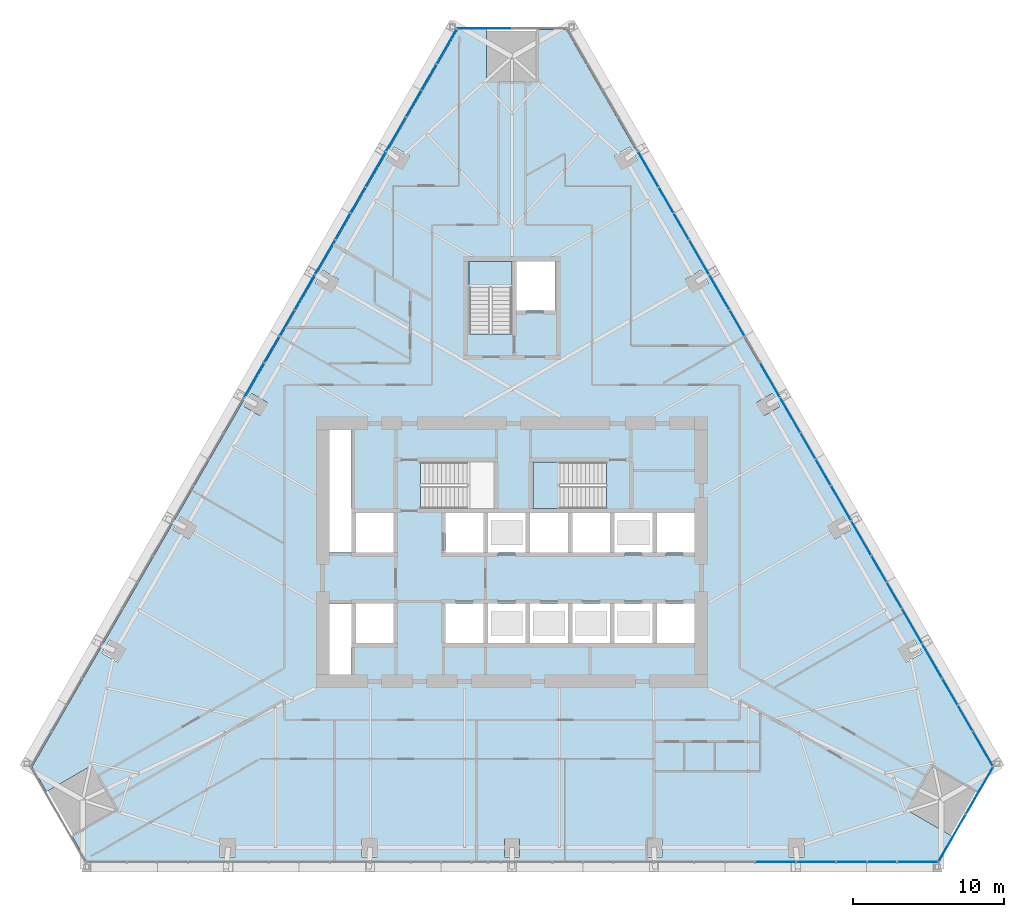
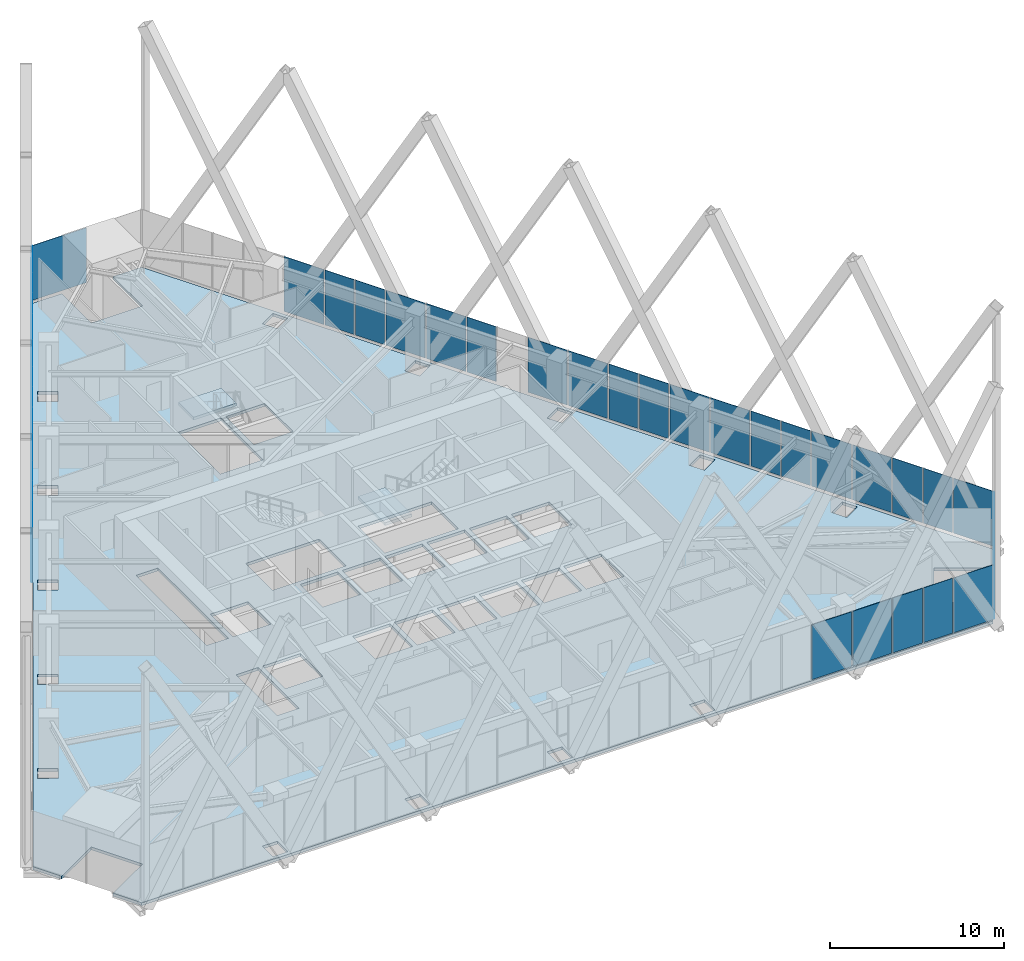
# One storey, part 14 of 21: 39 plates, 3 slabs, 7 elements without a shape of their own.
"""IFC4 building model written with IfcOpenShell, lengths in metres."""

from ifc_helpers import new_model, si_unit, direction, frame, origin, place, context, subcontext, project, spatial, polyline, outline, extrude, material, layer, layer_set, type_object, element, aggregate, save


model = new_model("IFC4")

# Units and contexts
model_context = context("Model", 3, precision=1e-05, world=origin(), true_north=direction((0.0, 1.0)))
body_context = subcontext(model_context, "Body", "Model", "MODEL_VIEW")
ifc_project = project(units=[si_unit("LENGTHUNIT", "METRE"), si_unit("AREAUNIT", "SQUARE_METRE"), si_unit("VOLUMEUNIT", "CUBIC_METRE"), si_unit("PLANEANGLEUNIT", "RADIAN"), si_unit("MASSUNIT", "GRAM", prefix="KILO")], contexts=[model_context])

# Site, building, storey
site_placement = place(None, origin())
site = spatial("IfcSite", under=ifc_project, at=site_placement, CompositionType="ELEMENT")
building_placement = place(site_placement, origin())
building = spatial("IfcBuilding", under=site, at=building_placement, Name="Firuza Gate Tower and Library", CompositionType="ELEMENT")
storey_placement = place(building_placement, frame((0.0, 0.0, 90.39990234375)))
storey = spatial("IfcBuildingStorey", under=building, at=storey_placement, Name="L20", CompositionType="ELEMENT", Elevation=90.39990234375)

# Slab
ifc_material_1 = material(Name="Concrete C40/50", Category="concrete")
ifc_layer_1 = layer(ifc_material_1, 0.199951171875)
ifc_layer_set_1 = layer_set([ifc_layer_1], Name="Composite floor slab 200 C40/50")
slab_type_1 = type_object("IfcSlabType", Name="Composite floor slab 200 C40/50", PredefinedType="FLOOR", material=ifc_layer_set_1)
slab_1_placement = place(storey_placement, frame((0.0, 0.0, -0.199951171875)))
element("IfcSlab", 1, at=slab_1_placement, inside=storey, type_object=slab_type_1, Name="Floor slab L20", PredefinedType="FLOOR", context=body_context, shape_type="SweptSolid", body=[
    extrude(outline(polyline([(103.210205078125, 54.555908203125), (104.16015625, 56.201416015625), (101.227294921875, 57.89453125), (102.92724609375, 60.839111328125), (105.860107421875, 59.14599609375), (106.81005859375, 60.791259765625), (78.60009765625, 109.652587890625), (76.699951171875, 109.652587890625), (76.699951171875, 106.26611328125), (73.300048828125, 106.26611328125), (73.300048828125, 109.652587890625), (71.39990234375, 109.652587890625), (43.18994140625, 60.791259765625), (44.139892578125, 59.14599609375), (47.07275390625, 60.839111328125), (48.772705078125, 57.89453125), (45.83984375, 56.201416015625), (46.789794921875, 54.555908203125), (103.210205078125, 54.555908203125)]), holes=[polyline([(55.627685546875, 54.79931640625), (55.627685546875, 55.999267578125), (56.627685546875, 55.999267578125), (56.627685546875, 54.79931640625), (55.627685546875, 54.79931640625)]), polyline([(65.06396484375, 54.79931640625), (65.06396484375, 55.999267578125), (66.06396484375, 55.999267578125), (66.06396484375, 54.79931640625), (65.06396484375, 54.79931640625)]), polyline([(48.3193359375, 69.189453125), (49.358642578125, 68.589599609375), (48.858642578125, 67.723388671875), (47.8193359375, 68.323486328125), (48.3193359375, 69.189453125)]), polyline([(64.35009765625, 66.89990234375), (62.89990234375, 66.89990234375), (62.89990234375, 71.60009765625), (64.35009765625, 71.60009765625), (64.35009765625, 66.89990234375)]), polyline([(75.89990234375, 69.0), (73.39990234375, 69.0), (73.39990234375, 71.60009765625), (75.89990234375, 71.60009765625), (75.89990234375, 69.0)]), polyline([(73.10009765625, 69.0), (70.60009765625, 69.0), (70.60009765625, 71.60009765625), (73.10009765625, 71.60009765625), (73.10009765625, 69.0)]), polyline([(64.64990234375, 69.0), (64.64990234375, 71.60009765625), (67.14990234375, 71.60009765625), (67.14990234375, 69.0), (64.64990234375, 69.0)]), polyline([(64.64990234375, 75.0), (64.64990234375, 77.60009765625), (67.14990234375, 77.60009765625), (67.14990234375, 75.0), (64.64990234375, 75.0)]), polyline([(75.89990234375, 75.0), (73.39990234375, 75.0), (73.39990234375, 77.60009765625), (75.89990234375, 77.60009765625), (75.89990234375, 75.0)]), polyline([(73.10009765625, 75.0), (70.60009765625, 75.0), (70.60009765625, 77.60009765625), (73.10009765625, 77.60009765625), (73.10009765625, 75.0)]), polyline([(53.03759765625, 77.361572265625), (54.07666015625, 76.761474609375), (53.57666015625, 75.8955078125), (52.53759765625, 76.495361328125), (53.03759765625, 77.361572265625)]), polyline([(62.89990234375, 75.0), (62.89990234375, 83.10009765625), (64.35009765625, 83.10009765625), (64.35009765625, 75.0), (62.89990234375, 75.0)]), polyline([(68.9404296875, 77.89990234375), (68.9404296875, 80.97998046875), (73.81005859375, 80.97998046875), (73.81005859375, 77.89990234375), (68.9404296875, 77.89990234375)]), polyline([(57.755615234375, 85.533447265625), (58.794921875, 84.933349609375), (58.294921875, 84.0673828125), (57.255615234375, 84.66748046875), (57.755615234375, 85.533447265625)]), polyline([(72.159912109375, 89.470458984375), (72.159912109375, 94.300048828125), (75.0, 94.300048828125), (75.0, 89.470458984375), (72.159912109375, 89.470458984375)]), polyline([(62.4736328125, 93.705322265625), (63.512939453125, 93.10546875), (63.012939453125, 92.2392578125), (61.9736328125, 92.83935546875), (62.4736328125, 93.705322265625)]), polyline([(68.23095703125, 101.27734375), (67.73095703125, 100.411376953125), (66.691650390625, 101.01123046875), (67.191650390625, 101.877197265625), (68.23095703125, 101.27734375)]), polyline([(93.372314453125, 54.79931640625), (93.372314453125, 55.999267578125), (94.372314453125, 55.999267578125), (94.372314453125, 54.79931640625), (93.372314453125, 54.79931640625)]), polyline([(74.5, 54.79931640625), (74.5, 55.999267578125), (75.5, 55.999267578125), (75.5, 54.79931640625), (74.5, 54.79931640625)]), polyline([(83.93603515625, 54.79931640625), (83.93603515625, 55.999267578125), (84.93603515625, 55.999267578125), (84.93603515625, 54.79931640625), (83.93603515625, 54.79931640625)]), polyline([(102.1806640625, 68.323486328125), (101.141357421875, 67.723388671875), (100.641357421875, 68.589599609375), (101.6806640625, 69.189453125), (102.1806640625, 68.323486328125)]), polyline([(78.699951171875, 69.0), (76.199951171875, 69.0), (76.199951171875, 71.60009765625), (78.699951171875, 71.60009765625), (78.699951171875, 69.0)]), polyline([(81.5, 69.0), (79.0, 69.0), (79.0, 71.60009765625), (81.5, 71.60009765625), (81.5, 69.0)]), polyline([(84.60009765625, 69.0), (84.60009765625, 71.60009765625), (87.10009765625, 71.60009765625), (87.10009765625, 69.0), (84.60009765625, 69.0)]), polyline([(81.800048828125, 69.0), (81.800048828125, 71.60009765625), (84.300048828125, 71.60009765625), (84.300048828125, 69.0), (81.800048828125, 69.0)]), polyline([(84.300048828125, 75.0), (81.800048828125, 75.0), (81.800048828125, 77.60009765625), (84.300048828125, 77.60009765625), (84.300048828125, 75.0)]), polyline([(87.10009765625, 75.0), (84.60009765625, 75.0), (84.60009765625, 77.60009765625), (87.10009765625, 77.60009765625), (87.10009765625, 75.0)]), polyline([(81.5, 75.0), (79.0, 75.0), (79.0, 77.60009765625), (81.5, 77.60009765625), (81.5, 75.0)]), polyline([(76.199951171875, 75.0), (76.199951171875, 77.60009765625), (78.699951171875, 77.60009765625), (78.699951171875, 75.0), (76.199951171875, 75.0)]), polyline([(96.42333984375, 75.8955078125), (95.92333984375, 76.761474609375), (96.96240234375, 77.361572265625), (97.46240234375, 76.495361328125), (96.42333984375, 75.8955078125)]), polyline([(81.259521484375, 77.89990234375), (76.389892578125, 77.89990234375), (76.389892578125, 80.97998046875), (81.259521484375, 80.97998046875), (81.259521484375, 77.89990234375)]), polyline([(92.744384765625, 84.66748046875), (91.705078125, 84.0673828125), (91.205078125, 84.933349609375), (92.244384765625, 85.533447265625), (92.744384765625, 84.66748046875)]), polyline([(77.89990234375, 91.050048828125), (75.300048828125, 91.050048828125), (75.300048828125, 94.300048828125), (77.89990234375, 94.300048828125), (77.89990234375, 91.050048828125)]), polyline([(86.987060546875, 92.2392578125), (86.487060546875, 93.10546875), (87.5263671875, 93.705322265625), (88.0263671875, 92.83935546875), (86.987060546875, 92.2392578125)]), polyline([(82.26904296875, 100.411376953125), (81.76904296875, 101.27734375), (82.808349609375, 101.877197265625), (83.308349609375, 101.01123046875), (82.26904296875, 100.411376953125)])]), origin(), (0.0, 0.0, 1.0), 0.199951171875),
])

# Curtain wall, plates
ifc_material_2 = material(Name="Aluminium 6063-T6", Category="aluminium")
ifc_layer_2 = layer(ifc_material_2, 0.14990234375)
ifc_layer_set_2 = layer_set([ifc_layer_2], Name="Corner curtain wall, chamfers")
curtain_wall_type_1 = type_object("IfcCurtainWallType", Name="Corner curtain wall, chamfers", PredefinedType="NOTDEFINED", material=ifc_layer_set_2)
placement_1 = place(storey_placement, origin())
curtain_wall_1 = element("IfcCurtainWall", 2, at=placement_1, inside=storey, type_object=curtain_wall_type_1, Name="CW4 L20 SE corner", PredefinedType="NOTDEFINED")
ifc_material_3 = material(Name="Fritted glass", Category="glass")
ifc_layer_3 = layer(ifc_material_3, 0.030029296875)
ifc_layer_set_3 = layer_set([ifc_layer_3], Name="Fritted glass unit, corners")
plate_type_1 = type_object("IfcPlateType", Name="Fritted glass unit, corners", PredefinedType="CURTAIN_PANEL", material=ifc_layer_set_3)
plate_1_placement = place(storey_placement, frame((103.286376953125, 54.508056640625, 0.150146484375), z_axis=(0.866016723041, -0.500015035186, 0.0), x_axis=(0.500015035186, 0.866016723041, 0.0)))
plate_1 = element("IfcPlate", 3, at=plate_1_placement, type_object=plate_type_1, Name="Glass unit", PredefinedType="CURTAIN_PANEL", context=body_context, shape_type="SweptSolid", body=[
    extrude(outline(polyline([(0.0, 0.0), (3.5633694106530625, 0.0), (3.5633694106530625, 3.849853515625), (0.0, 3.849853515625), (0.0, 0.0)])), origin(), (0.0, 0.0, -1.0), 0.030029296875),
])
plate_2_placement = place(storey_placement, frame((105.108154296875, 57.663330078125, 0.150146484375), z_axis=(0.866046390552, -0.49996364809, 0.0), x_axis=(0.49996364809, 0.866046390552, 0.0)))
plate_2 = element("IfcPlate", 4, at=plate_2_placement, type_object=plate_type_1, Name="Glass unit", PredefinedType="CURTAIN_PANEL", context=body_context, shape_type="SweptSolid", body=[
    extrude(outline(polyline([(0.0, 0.0), (3.563247342942594, 0.0), (3.563247342942594, 3.849853515625), (0.0, 3.849853515625), (0.0, 0.0)])), origin(), (0.0, 0.0, -1.0), 0.030029296875),
])
aggregate(curtain_wall_1, [plate_1, plate_2])

# Curtain wall, plate
curtain_wall_2 = element("IfcCurtainWall", 5, at=placement_1, inside=storey, type_object=curtain_wall_type_1, Name="CW4 L20 N corner", PredefinedType="NOTDEFINED")
plate_3_placement = place(storey_placement, frame((74.9599609375, 109.74267578125, 0.150146484375), z_axis=(0.0, 1.0, 0.0), x_axis=(-1.0, 0.0, 0.0)))
plate_3 = element("IfcPlate", 6, at=plate_3_placement, type_object=plate_type_1, Name="Glass unit", PredefinedType="CURTAIN_PANEL", context=body_context, shape_type="SweptSolid", body=[
    extrude(outline(polyline([(0.0, 0.0), (3.563232421875, 0.0), (3.563232421875, 3.849853515625), (0.0, 3.849853515625), (0.0, 0.0)])), origin(), (0.0, 0.0, -1.0), 0.030029296875),
])
aggregate(curtain_wall_2, [plate_3])

# Curtain wall, plates
ifc_material_4 = material(Name="Aluminium 6063-T6", Category="aluminium")
ifc_layer_4 = layer(ifc_material_4, 0.14990234375)
ifc_layer_set_4 = layer_set([ifc_layer_4], Name="Unitised curtain wall, offices")
curtain_wall_type_2 = type_object("IfcCurtainWallType", Name="Unitised curtain wall, offices", PredefinedType="NOTDEFINED", material=ifc_layer_set_4)
curtain_wall_3 = element("IfcCurtainWall", 7, at=placement_1, inside=storey, type_object=curtain_wall_type_2, Name="CW1 L20 S face", PredefinedType="NOTDEFINED")
ifc_material_5 = material(Name="Fritted glass", Category="glass")
ifc_layer_5 = layer(ifc_material_5, 0.030029296875)
ifc_layer_set_5 = layer_set([ifc_layer_5], Name="Fritted glass unit, offices")
plate_type_2 = type_object("IfcPlateType", Name="Fritted glass unit, offices", PredefinedType="CURTAIN_PANEL", material=ifc_layer_set_5)
plate_4_placement = place(storey_placement, frame((96.53173828125, 54.466064453125, 0.150146484375), z_axis=(0.0, -1.0, 0.0), x_axis=(1.0, 0.0, 0.0)))
plate_4 = element("IfcPlate", 8, at=plate_4_placement, type_object=plate_type_2, Name="Glass unit", PredefinedType="CURTAIN_PANEL", context=body_context, shape_type="SweptSolid", body=[
    extrude(outline(polyline([(0.0, 0.0), (1.97265625, 0.0), (1.97265625, 3.849853515625), (0.0, 3.849853515625), (0.0, 0.0)])), origin(), (0.0, 0.0, -1.0), 0.030029296875),
])
plate_5_placement = place(storey_placement, frame((98.58447265625, 54.466064453125, 0.150146484375), z_axis=(0.0, -1.0, 0.0), x_axis=(1.0, 0.0, 0.0)))
plate_5 = element("IfcPlate", 9, at=plate_5_placement, type_object=plate_type_2, Name="Glass unit", PredefinedType="CURTAIN_PANEL", context=body_context, shape_type="SweptSolid", body=[
    extrude(outline(polyline([(0.0, 0.0), (1.900634765625, 0.0), (1.900634765625, 3.849853515625), (0.0, 3.849853515625), (0.0, 0.0)])), origin(), (0.0, 0.0, -1.0), 0.030029296875),
])

curtain_wall_4 = element("IfcCurtainWall", 10, at=placement_1, inside=storey, type_object=curtain_wall_type_2, Name="CW1 L20 E face", PredefinedType="NOTDEFINED")
plate_6_placement = place(storey_placement, frame((105.525634765625, 63.1962890625, 0.150146484375), z_axis=(0.865997343122, 0.500048599344, 0.0), x_axis=(-0.500048599344, 0.865997343122, 0.0)))
plate_6 = element("IfcPlate", 11, at=plate_6_placement, type_object=plate_type_2, Name="Glass unit", PredefinedType="CURTAIN_PANEL", context=body_context, shape_type="SweptSolid", body=[
    extrude(outline(polyline([(0.0, 0.0), (1.9006941612728778, 0.0), (1.9006941612728778, 3.849853515625), (0.0, 3.849853515625), (0.0, 0.0)])), origin(), (0.0, 0.0, -1.0), 0.030029296875),
])
plate_7_placement = place(storey_placement, frame((104.53515625, 64.91162109375, 0.150146484375), z_axis=(0.866010388301, 0.500026006679, 0.0), x_axis=(-0.500026006679, 0.866010388301, 0.0)))
plate_7 = element("IfcPlate", 12, at=plate_7_placement, type_object=plate_type_2, Name="Glass unit", PredefinedType="CURTAIN_PANEL", context=body_context, shape_type="SweptSolid", body=[
    extrude(outline(polyline([(0.0, 0.0), (1.9725536508600703, 0.0), (1.9725536508600703, 3.849853515625), (0.0, 3.849853515625), (0.0, 0.0)])), origin(), (0.0, 0.0, -1.0), 0.030029296875),
])
plate_8_placement = place(storey_placement, frame((100.823974609375, 71.33984375, 0.150146484375), z_axis=(0.866022112445, 0.500005700723, 0.0), x_axis=(-0.500005700723, 0.866022112445, 0.0)))
plate_8 = element("IfcPlate", 13, at=plate_8_placement, type_object=plate_type_2, Name="Glass unit", PredefinedType="CURTAIN_PANEL", context=body_context, shape_type="SweptSolid", body=[
    extrude(outline(polyline([(0.0, 0.0), (1.915017228534579, 0.0), (1.915017228534579, 3.849853515625001), (0.0, 3.849853515625001), (0.0, 0.0)])), origin(), (0.0, 0.0, -1.0), 0.030029296875),
])
plate_9_placement = place(storey_placement, frame((99.826416015625, 73.067626953125, 0.150146484375), z_axis=(0.865986260037, 0.500067792832, 0.0), x_axis=(-0.500067792832, 0.865986260037, 0.0)))
plate_9 = element("IfcPlate", 14, at=plate_9_placement, type_object=plate_type_2, Name="Glass unit", PredefinedType="CURTAIN_PANEL", context=body_context, shape_type="SweptSolid", body=[
    extrude(outline(polyline([(0.0, 0.0), (1.9582305857576152, 0.0), (1.9582305857576152, 3.849853515625), (0.0, 3.849853515625), (0.0, 0.0)])), origin(), (0.0, 0.0, -1.0), 0.030029296875),
])
plate_10_placement = place(storey_placement, frame((96.1220703125, 79.4833984375, 0.150146484375), z_axis=(0.866046511925, 0.499963437846, 0.0), x_axis=(-0.499963437846, 0.866046511925, 0.0)))
plate_10 = element("IfcPlate", 15, at=plate_10_placement, type_object=plate_type_2, Name="Glass unit", PredefinedType="CURTAIN_PANEL", context=body_context, shape_type="SweptSolid", body=[
    extrude(outline(polyline([(0.0, 0.0), (1.9293403004255998, 0.0), (1.9293403004255998, 3.849853515625), (0.0, 3.849853515625), (0.0, 0.0)])), origin(), (0.0, 0.0, -1.0), 0.030029296875),
])
plate_11_placement = place(storey_placement, frame((95.117431640625, 81.2236328125, 0.150146484375), z_axis=(0.866047560712, 0.499961621113, 0.0), x_axis=(-0.499961621113, 0.866047560712, 0.0)))
plate_11 = element("IfcPlate", 16, at=plate_11_placement, type_object=plate_type_2, Name="Glass unit", PredefinedType="CURTAIN_PANEL", context=body_context, shape_type="SweptSolid", body=[
    extrude(outline(polyline([(0.0, 0.0), (1.9439968731240842, 0.0), (1.9439968731240842, 3.849853515625), (0.0, 3.849853515625), (0.0, 0.0)])), origin(), (0.0, 0.0, -1.0), 0.030029296875),
])
plate_12_placement = place(storey_placement, frame((90.408447265625, 89.379638671875, 0.150146484375), z_axis=(0.866078137346, 0.499908651666, 0.0), x_axis=(-0.499908651666, 0.866078137346, 0.0)))
plate_12 = element("IfcPlate", 17, at=plate_12_placement, type_object=plate_type_2, Name="Glass unit", PredefinedType="CURTAIN_PANEL", context=body_context, shape_type="SweptSolid", body=[
    extrude(outline(polyline([(0.0, 0.0), (1.9295517414230372, 0.0), (1.9295517414230372, 3.849853515625001), (0.0, 3.849853515625001), (0.0, 0.0)])), origin(), (0.0, 0.0, -1.0), 0.030029296875),
])
plate_13_placement = place(storey_placement, frame((86.71875, 95.7705078125, 0.150146484375), z_axis=(0.866071410914, 0.499920304846, 0.0), x_axis=(-0.499920304846, 0.866071410914, 0.0)))
plate_13 = element("IfcPlate", 18, at=plate_13_placement, type_object=plate_type_2, Name="Glass unit", PredefinedType="CURTAIN_PANEL", context=body_context, shape_type="SweptSolid", body=[
    extrude(outline(polyline([(0.0, 0.0), (1.9583199497198447, 0.0), (1.9583199497198447, 3.849853515625), (0.0, 3.849853515625), (0.0, 0.0)])), origin(), (0.0, 0.0, -1.0), 0.030029296875),
])
plate_14_placement = place(storey_placement, frame((85.69970703125, 97.53564453125, 0.150146484375), z_axis=(0.866053979752, 0.499950501706, 0.0), x_axis=(-0.499950501706, 0.866053979752, 0.0)))
plate_14 = element("IfcPlate", 19, at=plate_14_placement, type_object=plate_type_2, Name="Glass unit", PredefinedType="CURTAIN_PANEL", context=body_context, shape_type="SweptSolid", body=[
    extrude(outline(polyline([(0.0, 0.0), (1.9152286636046418, 0.0), (1.9152286636046418, 3.849853515625), (0.0, 3.849853515625), (0.0, 0.0)])), origin(), (0.0, 0.0, -1.0), 0.030029296875),
])

curtain_wall_5 = element("IfcCurtainWall", 20, at=placement_1, inside=storey, type_object=curtain_wall_type_2, Name="CW1 L20 W face", PredefinedType="NOTDEFINED")
plate_15_placement = place(storey_placement, frame((69.95947265625, 107.337890625, 0.150146484375), z_axis=(-0.866052964615, 0.499952260202, 0.0), x_axis=(-0.499952260202, -0.866052964615, 0.0)))
plate_15 = element("IfcPlate", 21, at=plate_15_placement, type_object=plate_type_2, Name="Glass unit", PredefinedType="CURTAIN_PANEL", context=body_context, shape_type="SweptSolid", body=[
    extrude(outline(polyline([(0.0, 0.0), (1.900572090855075, 0.0), (1.900572090855075, 3.849853515625), (0.0, 3.849853515625), (0.0, 0.0)])), origin(), (0.0, 0.0, -1.0), 0.030029296875),
])
plate_16_placement = place(storey_placement, frame((68.96923828125, 105.62255859375, 0.150146484375), z_axis=(-0.866041328748, 0.499972416139, 0.0), x_axis=(-0.499972416139, -0.866041328748, 0.0)))
plate_16 = element("IfcPlate", 22, at=plate_16_placement, type_object=plate_type_2, Name="Glass unit", PredefinedType="CURTAIN_PANEL", context=body_context, shape_type="SweptSolid", body=[
    extrude(outline(polyline([(0.0, 0.0), (1.9727650829546393, 0.0), (1.9727650829546393, 3.849853515625), (0.0, 3.849853515625), (0.0, 0.0)])), origin(), (0.0, 0.0, -1.0), 0.030029296875),
])
plate_17_placement = place(storey_placement, frame((65.2578125, 99.1943359375, 0.150146484375), z_axis=(-0.866053979752, 0.499950501706, 0.0), x_axis=(-0.499950501706, -0.866053979752, 0.0)))
plate_17 = element("IfcPlate", 23, at=plate_17_placement, type_object=plate_type_2, Name="Glass unit", PredefinedType="CURTAIN_PANEL", context=body_context, shape_type="SweptSolid", body=[
    extrude(outline(polyline([(0.0, 0.0), (1.9152286636046418, 0.0), (1.9152286636046418, 3.849853515625), (0.0, 3.849853515625), (0.0, 0.0)])), origin(), (0.0, 0.0, -1.0), 0.030029296875),
])
plate_18_placement = place(storey_placement, frame((64.26025390625, 97.466552734375, 0.150146484375), z_axis=(-0.866071410914, 0.499920304846, 0.0), x_axis=(-0.499920304846, -0.866071410914, 0.0)))
plate_18 = element("IfcPlate", 24, at=plate_18_placement, type_object=plate_type_2, Name="Glass unit", PredefinedType="CURTAIN_PANEL", context=body_context, shape_type="SweptSolid", body=[
    extrude(outline(polyline([(0.0, 0.0), (1.9583199497198447, 0.0), (1.9583199497198447, 3.849853515625), (0.0, 3.849853515625), (0.0, 0.0)])), origin(), (0.0, 0.0, -1.0), 0.030029296875),
])
plate_19_placement = place(storey_placement, frame((60.55615234375, 91.05078125, 0.150146484375), z_axis=(-0.866078137346, 0.499908651666, 0.0), x_axis=(-0.499908651666, -0.866078137346, 0.0)))
plate_19 = element("IfcPlate", 25, at=plate_19_placement, type_object=plate_type_2, Name="Glass unit", PredefinedType="CURTAIN_PANEL", context=body_context, shape_type="SweptSolid", body=[
    extrude(outline(polyline([(0.0, 0.0), (1.9295517414230372, 0.0), (1.9295517414230372, 3.849853515625001), (0.0, 3.849853515625001), (0.0, 0.0)])), origin(), (0.0, 0.0, -1.0), 0.030029296875),
])
plate_20_placement = place(storey_placement, frame((59.551513671875, 89.310302734375, 0.150146484375), z_axis=(-0.866016163673, 0.500016004, 0.0), x_axis=(-0.500016004, -0.866016163673, 0.0)))
plate_20 = element("IfcPlate", 26, at=plate_20_placement, type_object=plate_type_2, Name="Glass unit", PredefinedType="CURTAIN_PANEL", context=body_context, shape_type="SweptSolid", body=[
    extrude(outline(polyline([(0.0, 0.0), (1.9437854395637704, 0.0), (1.9437854395637704, 3.849853515625001), (0.0, 3.849853515625001), (0.0, 0.0)])), origin(), (0.0, 0.0, -1.0), 0.030029296875),
])

# Plate
ifc_material_6 = material(Name="Glazed ceramic tile")
ifc_layer_6 = layer(ifc_material_6, 0.030029296875)
ifc_layer_set_6 = layer_set([ifc_layer_6], Name="Opaque ceramic panel, offices")
plate_type_3 = type_object("IfcPlateType", Name="Opaque ceramic panel, offices", PredefinedType="CURTAIN_PANEL", material=ifc_layer_set_6)
plate_21_placement = place(storey_placement, frame((91.161865234375, 54.466064453125, 0.150146484375), z_axis=(0.0, -1.0, 0.0), x_axis=(1.0, 0.0, 0.0)))
plate_21 = element("IfcPlate", 27, at=plate_21_placement, type_object=plate_type_3, Name="Opaque ceramic panel", PredefinedType="CURTAIN_PANEL", context=body_context, shape_type="SweptSolid", body=[
    extrude(outline(polyline([(0.0, 0.0), (2.6337890625, 0.0), (2.6337890625, 3.849853515625), (0.0, 3.849853515625), (0.0, 0.0)])), origin(), (0.0, 0.0, -1.0), 0.030029296875),
])

plate_22_placement = place(storey_placement, frame((93.87548828125, 54.466064453125, 0.150146484375), z_axis=(0.0, -1.0, 0.0), x_axis=(1.0, 0.0, 0.0)))
plate_22 = element("IfcPlate", 28, at=plate_22_placement, type_object=plate_type_3, Name="Opaque ceramic panel", PredefinedType="CURTAIN_PANEL", context=body_context, shape_type="SweptSolid", body=[
    extrude(outline(polyline([(0.0, 0.0), (2.576171875, 0.0), (2.576171875, 3.849853515625), (0.0, 3.849853515625), (0.0, 0.0)])), origin(), (0.0, 0.0, -1.0), 0.030029296875),
])

plate_23_placement = place(storey_placement, frame((100.565185546875, 54.466064453125, 0.150146484375), z_axis=(0.0, -1.0, 0.0), x_axis=(1.0, 0.0, 0.0)))
plate_23 = element("IfcPlate", 29, at=plate_23_placement, type_object=plate_type_3, Name="Opaque ceramic panel", PredefinedType="CURTAIN_PANEL", context=body_context, shape_type="SweptSolid", body=[
    extrude(outline(polyline([(0.0, 0.0), (2.648193359375, 0.0), (2.648193359375, 3.849853515625), (0.0, 3.849853515625), (0.0, 0.0)])), origin(), (0.0, 0.0, -1.0), 0.030029296875),
])

aggregate(curtain_wall_3, [plate_21, plate_22, plate_4, plate_5, plate_23])

plate_24_placement = place(storey_placement, frame((106.8896484375, 60.83349609375, 0.150146484375), z_axis=(0.86605048973, 0.49995654735, 0.0), x_axis=(-0.49995654735, 0.86605048973, 0.0)))
plate_24 = element("IfcPlate", 30, at=plate_24_placement, type_object=plate_type_3, Name="Opaque ceramic panel", PredefinedType="CURTAIN_PANEL", context=body_context, shape_type="SweptSolid", body=[
    extrude(outline(polyline([(0.0, 0.0), (2.6481793595713543, 0.0), (2.6481793595713543, 3.849853515625), (0.0, 3.849853515625), (0.0, 0.0)])), origin(), (0.0, 0.0, -1.0), 0.030029296875),
])

plate_25_placement = place(storey_placement, frame((103.5087890625, 66.689208984375, 0.150146484375), z_axis=(0.866018294426, 0.500012313569, 0.0), x_axis=(-0.500012313569, 0.866018294426, 0.0)))
plate_25 = element("IfcPlate", 31, at=plate_25_placement, type_object=plate_type_3, Name="Opaque ceramic panel", PredefinedType="CURTAIN_PANEL", context=body_context, shape_type="SweptSolid", body=[
    extrude(outline(polyline([(0.0, 0.0), (2.576108432824416, 0.0), (2.576108432824416, 3.849853515625), (0.0, 3.849853515625), (0.0, 0.0)])), origin(), (0.0, 0.0, -1.0), 0.030029296875),
])

plate_26_placement = place(storey_placement, frame((102.180908203125, 68.989501953125, 0.150146484375), z_axis=(0.865992633914, 0.500056754786, 0.0), x_axis=(-0.500056754786, 0.865992633914, 0.0)))
plate_26 = element("IfcPlate", 32, at=plate_26_placement, type_object=plate_type_3, Name="Opaque ceramic panel", PredefinedType="CURTAIN_PANEL", context=body_context, shape_type="SweptSolid", body=[
    extrude(outline(polyline([(0.0, 0.0), (2.633978361993834, 0.0), (2.633978361993834, 3.849853515625), (0.0, 3.849853515625), (0.0, 0.0)])), origin(), (0.0, 0.0, -1.0), 0.030029296875),
])

plate_27_placement = place(storey_placement, frame((98.80712890625, 74.832763671875, 0.150146484375), z_axis=(0.866060045659, 0.499939993713, 0.0), x_axis=(-0.499939993713, 0.866060045659, 0.0)))
plate_27 = element("IfcPlate", 33, at=plate_27_placement, type_object=plate_type_3, Name="Opaque ceramic panel", PredefinedType="CURTAIN_PANEL", context=body_context, shape_type="SweptSolid", body=[
    extrude(outline(polyline([(0.0, 0.0), (2.590642940979093, 0.0), (2.590642940979093, 3.849853515625), (0.0, 3.849853515625), (0.0, 0.0)])), origin(), (0.0, 0.0, -1.0), 0.030029296875),
])

plate_28_placement = place(storey_placement, frame((97.471923828125, 77.1455078125, 0.150146484375), z_axis=(0.866014858412, 0.500018264677, 0.0), x_axis=(-0.500018264677, 0.866014858412, 0.0)))
plate_28 = element("IfcPlate", 34, at=plate_28_placement, type_object=plate_type_3, Name="Opaque ceramic panel", PredefinedType="CURTAIN_PANEL", context=body_context, shape_type="SweptSolid", body=[
    extrude(outline(polyline([(0.0, 0.0), (2.619533216394357, 0.0), (2.619533216394357, 3.849853515625), (0.0, 3.849853515625), (0.0, 0.0)])), origin(), (0.0, 0.0, -1.0), 0.030029296875),
])

plate_29_placement = place(storey_placement, frame((94.10546875, 82.976318359375, 0.150146484375), z_axis=(0.866037327638, 0.49997934671, 0.0), x_axis=(-0.49997934671, 0.866037327638, 0.0)))
plate_29 = element("IfcPlate", 35, at=plate_29_placement, type_object=plate_type_3, Name="Opaque ceramic panel", PredefinedType="CURTAIN_PANEL", context=body_context, shape_type="SweptSolid", body=[
    extrude(outline(polyline([(0.0, 0.0), (2.605088076026937, 0.0), (2.605088076026937, 3.849853515625001), (0.0, 3.849853515625001), (0.0, 0.0)])), origin(), (0.0, 0.0, -1.0), 0.030029296875),
])

plate_30_placement = place(storey_placement, frame((92.762939453125, 85.3017578125, 0.150146484375), z_axis=(0.866013897511, 0.50001992892, 0.0), x_axis=(-0.50001992892, 0.866013897511, 0.0)))
plate_30 = element("IfcPlate", 36, at=plate_30_placement, type_object=plate_type_3, Name="Opaque ceramic panel", PredefinedType="CURTAIN_PANEL", context=body_context, shape_type="SweptSolid", body=[
    extrude(outline(polyline([(0.0, 0.0), (2.604876643992501, 0.0), (2.604876643992501, 3.849853515625), (0.0, 3.849853515625), (0.0, 0.0)])), origin(), (0.0, 0.0, -1.0), 0.030029296875),
])

plate_31_placement = place(storey_placement, frame((89.40380859375, 91.119873046875, 0.150146484375), z_axis=(0.866014858412, 0.500018264677, 0.0), x_axis=(-0.500018264677, 0.866014858412, 0.0)))
plate_31 = element("IfcPlate", 37, at=plate_31_placement, type_object=plate_type_3, Name="Opaque ceramic panel", PredefinedType="CURTAIN_PANEL", context=body_context, shape_type="SweptSolid", body=[
    extrude(outline(polyline([(0.0, 0.0), (2.619533216394357, 0.0), (2.619533216394357, 3.849853515625), (0.0, 3.849853515625), (0.0, 0.0)])), origin(), (0.0, 0.0, -1.0), 0.030029296875),
])

plate_32_placement = place(storey_placement, frame((88.05419921875, 93.457763671875, 0.150146484375), z_axis=(0.865995678478, 0.500051482207, 0.0), x_axis=(-0.500051482207, 0.865995678478, 0.0)))
plate_32 = element("IfcPlate", 38, at=plate_32_placement, type_object=plate_type_3, Name="Opaque ceramic panel", PredefinedType="CURTAIN_PANEL", context=body_context, shape_type="SweptSolid", body=[
    extrude(outline(polyline([(0.0, 0.0), (2.590553577667173, 0.0), (2.590553577667173, 3.849853515625), (0.0, 3.849853515625), (0.0, 0.0)])), origin(), (0.0, 0.0, -1.0), 0.030029296875),
])

plate_33_placement = place(storey_placement, frame((84.7021484375, 99.263427734375, 0.150146484375), z_axis=(0.866032771503, 0.49998723852, 0.0), x_axis=(-0.49998723852, 0.866032771503, 0.0)))
plate_33 = element("IfcPlate", 39, at=plate_33_placement, type_object=plate_type_3, Name="Opaque ceramic panel", PredefinedType="CURTAIN_PANEL", context=body_context, shape_type="SweptSolid", body=[
    extrude(outline(polyline([(0.0, 0.0), (2.633856286310861, 0.0), (2.633856286310861, 3.849853515625), (0.0, 3.849853515625), (0.0, 0.0)])), origin(), (0.0, 0.0, -1.0), 0.030029296875),
])

aggregate(curtain_wall_4, [plate_24, plate_6, plate_7, plate_25, plate_26, plate_8, plate_9, plate_27, plate_28, plate_10, plate_11, plate_29, plate_30, plate_12, plate_31, plate_32, plate_13, plate_14, plate_33])

plate_34_placement = place(storey_placement, frame((71.32373046875, 109.700439453125, 0.150146484375), z_axis=(-0.866010570869, 0.500025690483, 0.0), x_axis=(-0.500025690483, -0.866010570869, 0.0)))
plate_34 = element("IfcPlate", 40, at=plate_34_placement, type_object=plate_type_3, Name="Opaque ceramic panel", PredefinedType="CURTAIN_PANEL", context=body_context, shape_type="SweptSolid", body=[
    extrude(outline(polyline([(0.0, 0.0), (2.6483014277158157, 0.0), (2.6483014277158157, 3.849853515625001), (0.0, 3.849853515625001), (0.0, 0.0)])), origin(), (0.0, 0.0, -1.0), 0.030029296875),
])

plate_35_placement = place(storey_placement, frame((67.94287109375, 103.8447265625, 0.150146484375), z_axis=(-0.866018294426, 0.500012313569, 0.0), x_axis=(-0.500012313569, -0.866018294426, 0.0)))
plate_35 = element("IfcPlate", 41, at=plate_35_placement, type_object=plate_type_3, Name="Opaque ceramic panel", PredefinedType="CURTAIN_PANEL", context=body_context, shape_type="SweptSolid", body=[
    extrude(outline(polyline([(0.0, 0.0), (2.576108432824416, 0.0), (2.576108432824416, 3.849853515625), (0.0, 3.849853515625), (0.0, 0.0)])), origin(), (0.0, 0.0, -1.0), 0.030029296875),
])

plate_36_placement = place(storey_placement, frame((66.61474609375, 101.54443359375, 0.150146484375), z_axis=(-0.866032771503, 0.49998723852, 0.0), x_axis=(-0.49998723852, -0.866032771503, 0.0)))
plate_36 = element("IfcPlate", 42, at=plate_36_placement, type_object=plate_type_3, Name="Opaque ceramic panel", PredefinedType="CURTAIN_PANEL", context=body_context, shape_type="SweptSolid", body=[
    extrude(outline(polyline([(0.0, 0.0), (2.633856286310861, 0.0), (2.633856286310861, 3.849853515625), (0.0, 3.849853515625), (0.0, 0.0)])), origin(), (0.0, 0.0, -1.0), 0.030029296875),
])

plate_37_placement = place(storey_placement, frame((63.2412109375, 95.701171875, 0.150146484375), z_axis=(-0.865995678478, 0.500051482207, 0.0), x_axis=(-0.500051482207, -0.865995678478, 0.0)))
plate_37 = element("IfcPlate", 43, at=plate_37_placement, type_object=plate_type_3, Name="Opaque ceramic panel", PredefinedType="CURTAIN_PANEL", context=body_context, shape_type="SweptSolid", body=[
    extrude(outline(polyline([(0.0, 0.0), (2.590553577667173, 0.0), (2.590553577667173, 3.849853515625), (0.0, 3.849853515625), (0.0, 0.0)])), origin(), (0.0, 0.0, -1.0), 0.030029296875),
])

plate_38_placement = place(storey_placement, frame((61.906005859375, 93.388427734375, 0.150146484375), z_axis=(-0.866014858412, 0.500018264677, 0.0), x_axis=(-0.500018264677, -0.866014858412, 0.0)))
plate_38 = element("IfcPlate", 44, at=plate_38_placement, type_object=plate_type_3, Name="Opaque ceramic panel", PredefinedType="CURTAIN_PANEL", context=body_context, shape_type="SweptSolid", body=[
    extrude(outline(polyline([(0.0, 0.0), (2.619533216394357, 0.0), (2.619533216394357, 3.849853515625), (0.0, 3.849853515625), (0.0, 0.0)])), origin(), (0.0, 0.0, -1.0), 0.030029296875),
])

plate_39_placement = place(storey_placement, frame((58.53955078125, 87.5576171875, 0.150146484375), z_axis=(-0.866013897511, 0.50001992892, 0.0), x_axis=(-0.50001992892, -0.866013897511, 0.0)))
plate_39 = element("IfcPlate", 45, at=plate_39_placement, type_object=plate_type_3, Name="Opaque ceramic panel", PredefinedType="CURTAIN_PANEL", context=body_context, shape_type="SweptSolid", body=[
    extrude(outline(polyline([(0.0, 0.0), (2.604876643992501, 0.0), (2.604876643992501, 3.849853515625), (0.0, 3.849853515625), (0.0, 0.0)])), origin(), (0.0, 0.0, -1.0), 0.030029296875),
])

aggregate(curtain_wall_5, [plate_34, plate_15, plate_16, plate_35, plate_36, plate_17, plate_18, plate_37, plate_38, plate_19, plate_20, plate_39])

# Stair, slab
ifc_material_7 = material(Name="Concrete C35/45", Category="concrete")
stair_type_1 = type_object("IfcStairType", Name="Exit stair ST5", PredefinedType="HALF_TURN_STAIR", material=ifc_material_7)
stair_1 = element("IfcStair", 46, at=placement_1, inside=storey, type_object=stair_type_1, Name="L20 Stair ST2", PredefinedType="HALF_TURN_STAIR")
ifc_material_8 = material(Name="Concrete C35/45", Category="concrete")
ifc_layer_7 = layer(ifc_material_8, 0.199951171875)
ifc_layer_set_7 = layer_set([ifc_layer_7], Name="Stair landing 200")
slab_type_2 = type_object("IfcSlabType", Name="Stair landing 200", PredefinedType="LANDING", material=ifc_layer_set_7)
placement_2 = place(storey_placement, frame((0.0, 0.0, 1.900146484375)))
slab_2 = element("IfcSlab", 47, at=placement_2, type_object=slab_type_2, Name="ST2 landing 1", PredefinedType="LANDING", context=body_context, shape_type="SweptSolid", body=[
    extrude(outline(polyline([(78.179931640625, 80.97998046875), (76.389892578125, 80.97998046875), (76.389892578125, 77.89990234375), (78.179931640625, 77.89990234375), (78.179931640625, 80.97998046875)])), origin(), (0.0, 0.0, 1.0), 0.199951171875),
])
aggregate(stair_1, [slab_2])

ifc_material_9 = material(Name="Concrete C35/45", Category="concrete")
stair_type_2 = type_object("IfcStairType", Name="Exit stair ST14", PredefinedType="HALF_TURN_STAIR", material=ifc_material_9)
stair_2 = element("IfcStair", 48, at=placement_1, inside=storey, type_object=stair_type_2, Name="L20 Stair ST3", PredefinedType="HALF_TURN_STAIR")
slab_3 = element("IfcSlab", 49, at=placement_2, type_object=slab_type_2, Name="ST3 landing 1", PredefinedType="LANDING", context=body_context, shape_type="SweptSolid", body=[
    extrude(outline(polyline([(75.0, 92.550048828125), (75.0, 94.300048828125), (72.159912109375, 94.300048828125), (72.159912109375, 92.550048828125), (75.0, 92.550048828125)])), origin(), (0.0, 0.0, 1.0), 0.199951171875),
])
aggregate(stair_2, [slab_3])

save(model, "model.ifc")
